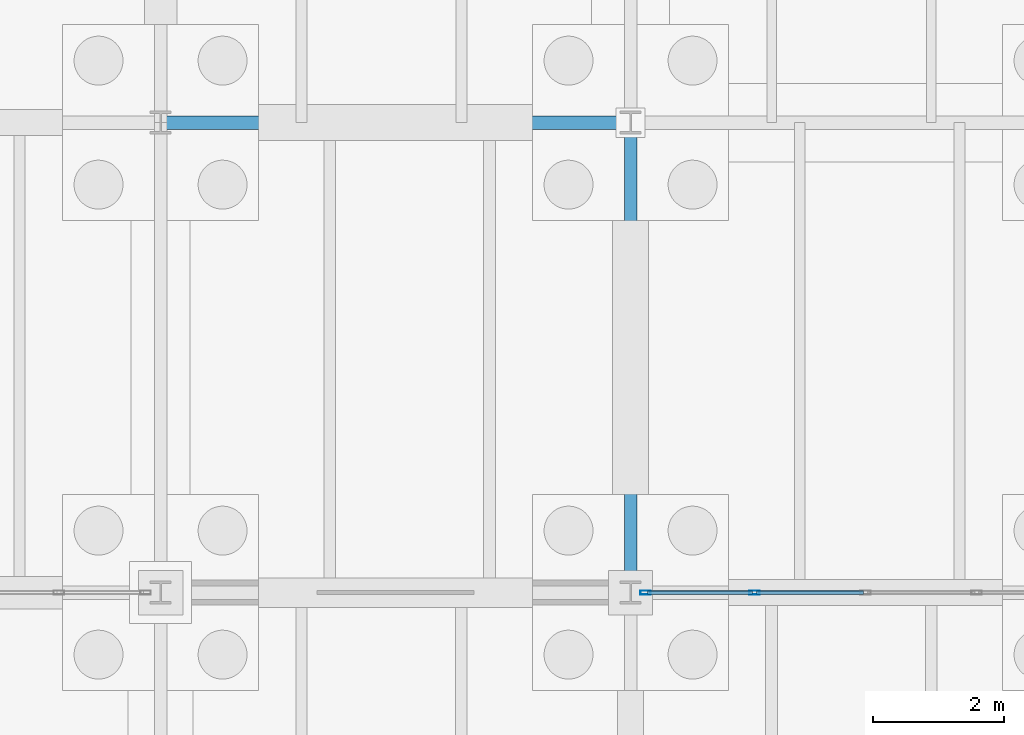
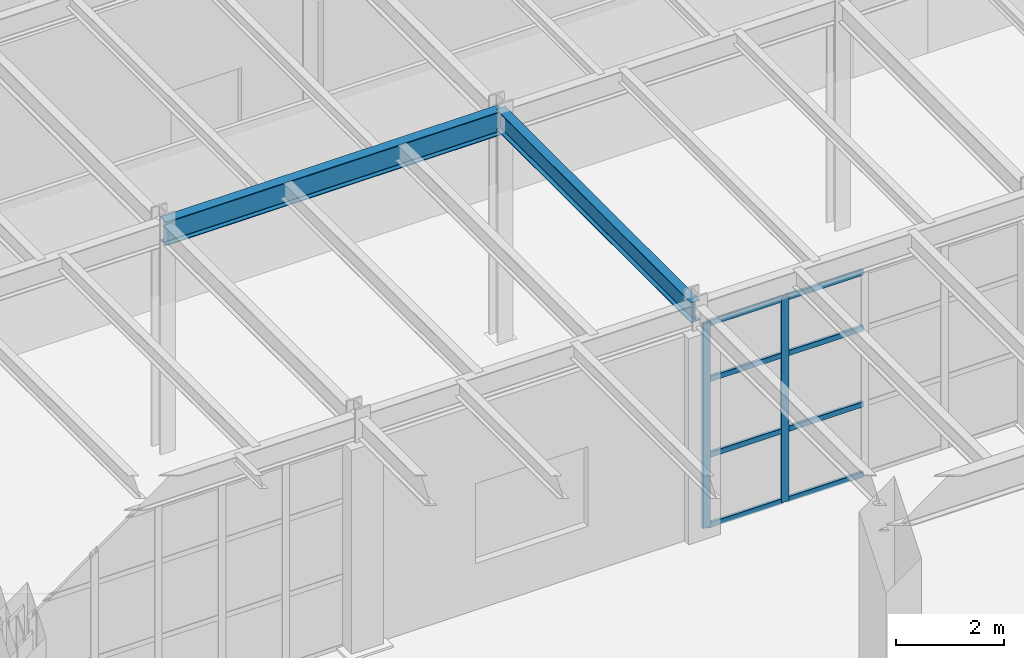
# One storey, part 82 of 293: 10 members, 2 beams, 1 element without a shape of its own.
"""IFC4 building model written with IfcOpenShell, lengths in metres."""

import ifcopenshell
import ifcopenshell.guid

model = None  # the IFC model being written
_history = None  # IfcOwnerHistory: only IFC2X3 demands one
_inside = {}  # id of a spatial element -> (the spatial element, [elements in it])
_under = {}  # id of a project, library or spatial element -> (it, [spatial elements below it])
_declared = {}  # id of a project -> (the project, [libraries it declares])
_typed = {}  # id of a type object -> (the type object, [elements of that type])
_made_of = {}  # id of a material, layer set ... -> (it, [elements and type objects made of it])


def new_model(schema):
    """Start an empty IFC model of exactly this schema.

    Asked for "IFC4X3", IfcOpenShell would pick the latest addendum, in which some entities
    have other attributes; the version numbers below select the first issue.
    IFC2X3 requires an IfcOwnerHistory on every rooted entity: one is made here for all.
    """
    global model, _history
    if schema == "IFC4X3":
        model = ifcopenshell.file(schema_version=(4, 3, 0, 0))
    else:
        model = ifcopenshell.file(schema=schema)
    _inside.clear()
    _under.clear()
    _declared.clear()
    _typed.clear()
    _made_of.clear()
    _history = None
    if model.schema == "IFC2X3":
        org = make("IfcOrganization", Name="unknown")
        user = make(
            "IfcPersonAndOrganization",
            ThePerson=make("IfcPerson", FamilyName="unknown"),
            TheOrganization=org,
        )
        app = make(
            "IfcApplication",
            ApplicationDeveloper=org,
            Version="unknown",
            ApplicationFullName="unknown",
            ApplicationIdentifier="unknown",
        )
        _history = make(
            "IfcOwnerHistory",
            OwningUser=user,
            OwningApplication=app,
            ChangeAction="ADDED",
            CreationDate=0,
        )
    return model


def make(cls, **values):
    """One entity of the class cls with the attributes given. An attribute that is None is left unset."""
    return model.create_entity(
        cls, **{name: value for name, value in values.items() if value is not None}
    )


def rooted(cls, **values):
    """An entity with a GlobalId (a new one), such as an element, a storey or a relation."""
    return make(cls, GlobalId=ifcopenshell.guid.new(), OwnerHistory=_history, **values)


def si_unit(unit_type, name, prefix=None):
    """IfcSIUnit, for example si_unit("LENGTHUNIT", "METRE", prefix="MILLI")."""
    return make("IfcSIUnit", UnitType=unit_type, Prefix=prefix, Name=name)


def assignment(units):
    """IfcUnitAssignment: the units of a project."""
    return None if units is None else make("IfcUnitAssignment", Units=units)


def point(xyz):
    """IfcCartesianPoint."""
    return None if xyz is None else make("IfcCartesianPoint", Coordinates=xyz)


def direction(xyz):
    """IfcDirection."""
    return None if xyz is None else make("IfcDirection", DirectionRatios=xyz)


def frame(location, z_axis=None, x_axis=None):
    """IfcAxis2Placement3D, a coordinate frame: its origin and axes. An axis left out is left unset."""
    return make(
        "IfcAxis2Placement3D",
        Location=point(location),
        Axis=direction(z_axis),
        RefDirection=direction(x_axis),
    )


def frame_2d(location, x_axis=None):
    """IfcAxis2Placement2D, a coordinate frame in the plane: its origin and x axis."""
    return make(
        "IfcAxis2Placement2D", Location=point(location), RefDirection=direction(x_axis)
    )


def origin():
    """The frame at (0, 0, 0) with its axes left unset."""
    return frame((0.0, 0.0, 0.0))


def origin_2d():
    """The frame at (0, 0) in the plane with its x axis left unset."""
    return frame_2d((0.0, 0.0))


def place(relative_to, where):
    """IfcLocalPlacement: puts the frame where relative to a parent placement (None: the world)."""
    return make(
        "IfcLocalPlacement", PlacementRelTo=relative_to, RelativePlacement=where
    )


def context(
    kind, dimensions, precision=None, world=None, true_north=None, identifier=None
):
    """IfcGeometricRepresentationContext, for example the 3D "Model" context."""
    return make(
        "IfcGeometricRepresentationContext",
        ContextIdentifier=identifier,
        ContextType=kind,
        CoordinateSpaceDimension=dimensions,
        Precision=precision,
        WorldCoordinateSystem=world,
        TrueNorth=true_north,
    )


def subcontext(parent, identifier, kind, view, scale=None):
    """IfcGeometricRepresentationSubContext, for example "Body" below "Model"."""
    return make(
        "IfcGeometricRepresentationSubContext",
        ContextIdentifier=identifier,
        ContextType=kind,
        ParentContext=parent,
        TargetScale=scale,
        TargetView=view,
    )


def project(units=None, contexts=None):
    """IfcProject with its units and contexts."""
    return rooted(
        "IfcProject",
        Name="project",
        RepresentationContexts=contexts,
        UnitsInContext=assignment(units),
    )


def spatial(cls, under=None, at=None, **own):
    """A site, building, storey or space (cls), placed at a placement, below another one or the project."""
    s = rooted(cls, ObjectPlacement=at, **own)
    if under is not None:
        _under.setdefault(under.id(), (under, []))[1].append(s)
    return s


def profile(cls, at=None, kind="AREA", **sizes):
    """A parametric profile (cls). Its sizes go by their IFC names, for example OverallWidth=200.0."""
    return make(cls, ProfileType=kind, Position=at, **sizes)


def hollow_rectangle(**sizes):
    """IfcRectangleHollowProfileDef."""
    return profile("IfcRectangleHollowProfileDef", **sizes)


def i_section(**sizes):
    """IfcIShapeProfileDef."""
    return profile("IfcIShapeProfileDef", **sizes)


def extrude(swept, where, along, depth):
    """IfcExtrudedAreaSolid: the profile swept, set in the frame where, extruded along a direction by depth."""
    return make(
        "IfcExtrudedAreaSolid",
        SweptArea=swept,
        Position=where,
        ExtrudedDirection=direction(along),
        Depth=depth,
    )


def shape(context_of_items, identifier, shape_type, items):
    """IfcShapeRepresentation: the items that make up one representation, for example the "Body"."""
    return make(
        "IfcShapeRepresentation",
        ContextOfItems=context_of_items,
        RepresentationIdentifier=identifier,
        RepresentationType=shape_type,
        Items=items,
    )


def material(Name=None, Category=None):
    """IfcMaterial."""
    return make("IfcMaterial", Name=Name, Category=Category)


def layer(
    of_material, thickness, ventilated=None, Name=None, Category=None, Priority=None
):
    """IfcMaterialLayer: one layer of a wall or slab, of a material (None: an air gap)."""
    return make(
        "IfcMaterialLayer",
        Material=of_material,
        LayerThickness=thickness,
        IsVentilated=ventilated,
        Name=Name,
        Category=Category,
        Priority=Priority,
    )


def layer_set(layers, Name=None):
    """IfcMaterialLayerSet."""
    return make("IfcMaterialLayerSet", MaterialLayers=layers, LayerSetName=Name)


def material_profile(
    of_material, cross_section, Name=None, Category=None, Priority=None
):
    """IfcMaterialProfile: a cross section and its material."""
    return make(
        "IfcMaterialProfile",
        Name=Name,
        Material=of_material,
        Profile=cross_section,
        Priority=Priority,
        Category=Category,
    )


def profile_set(profiles, Name=None, composite=None):
    """IfcMaterialProfileSet."""
    return make(
        "IfcMaterialProfileSet",
        Name=Name,
        MaterialProfiles=profiles,
        CompositeProfile=composite,
    )


def made_of(thing, what):
    """Note that an element or type object is made of a material, layer set ...; save() writes the relation."""
    if what is not None:
        _made_of.setdefault(what.id(), (what, []))[1].append(thing)
    return thing


def type_object(cls, material=None, **own):
    """A type object (cls), such as IfcWallType, which elements share."""
    return made_of(rooted(cls, **own), material)


def element(
    cls,
    number,
    at=None,
    inside=None,
    cuts=None,
    type_object=None,
    material=None,
    context=None,
    identifier="Body",
    shape_type=None,
    held_by="IfcProductDefinitionShape",
    body=None,
    shapes=None,
    **own,
):
    """One element of the class cls, such as IfcWall. Its Tag is "e" and its number.

    at: its placement. inside: the storey or other place that contains it. cuts: it is an
    opening in that element (IfcRelVoidsElement). A single representation is given by context,
    identifier, shape_type and body (its items); several are given by shapes. held_by: the class
    of the entity that holds the representations. save() writes the other relations.
    """
    e = rooted(cls, Tag="e%d" % number, ObjectPlacement=at, **own)
    if body is not None:
        shapes = [shape(context, identifier, shape_type, body)]
    if shapes is not None:
        e.Representation = make(held_by, Representations=shapes)
    if inside is not None:
        _inside.setdefault(inside.id(), (inside, []))[1].append(e)
    if cuts is not None:
        rooted(
            "IfcRelVoidsElement", RelatingBuildingElement=cuts, RelatedOpeningElement=e
        )
    if type_object is not None:
        _typed.setdefault(type_object.id(), (type_object, []))[1].append(e)
    return made_of(e, material)


def aggregate(whole, parts):
    """IfcRelAggregates: a whole, such as a stair, and the parts it consists of."""
    return rooted("IfcRelAggregates", RelatingObject=whole, RelatedObjects=parts)


def save(model, path):
    """Write the relations noted so far, then the file.

    IfcRelAggregates (storeys below a building ...), IfcRelContainedInSpatialStructure (elements
    in a storey), IfcRelDefinesByType, IfcRelAssociatesMaterial and IfcRelDeclares: one each for
    every whole, place, type object, material and project.
    """
    for whole, parts in _under.values():
        aggregate(whole, parts)
    for where, things in _inside.values():
        rooted(
            "IfcRelContainedInSpatialStructure",
            RelatedElements=things,
            RelatingStructure=where,
        )
    for kind, things in _typed.values():
        rooted("IfcRelDefinesByType", RelatedObjects=things, RelatingType=kind)
    for what, things in _made_of.values():
        rooted("IfcRelAssociatesMaterial", RelatedObjects=things, RelatingMaterial=what)
    for by, libraries in _declared.values():
        rooted("IfcRelDeclares", RelatingContext=by, RelatedDefinitions=libraries)
    model.write(path)


model = new_model("IFC4")

# Units and contexts
model_context = context("Model", 3, precision=1e-05, world=origin(), true_north=direction((0.0, 1.0)))
body_context = subcontext(model_context, "Body", "Model", "MODEL_VIEW")
ifc_project = project(units=[si_unit("LENGTHUNIT", "METRE"), si_unit("AREAUNIT", "SQUARE_METRE"), si_unit("VOLUMEUNIT", "CUBIC_METRE"), si_unit("PLANEANGLEUNIT", "RADIAN"), si_unit("MASSUNIT", "GRAM", prefix="KILO")], contexts=[model_context])

# Site, building, storey
site_placement = place(None, origin())
site = spatial("IfcSite", under=ifc_project, at=site_placement, CompositionType="ELEMENT")
building_placement = place(site_placement, origin())
building = spatial("IfcBuilding", under=site, at=building_placement, Name="Kemerveld Promenade Tramway Depot", CompositionType="ELEMENT")
storey_placement = place(building_placement, origin())
storey = spatial("IfcBuildingStorey", under=building, at=storey_placement, Name="L00", CompositionType="ELEMENT", Elevation=0.0)

# Beams
ifc_material_1 = material(Name="Steel S355", Category="steel")
ifc_material_profile_1 = material_profile(ifc_material_1, i_section(OverallWidth=0.2099609375, OverallDepth=0.53662109375, WebThickness=0.0107421875, FlangeThickness=0.017333984375, FilletRadius=0.0126953125, at=origin_2d()), Name="533x210x101 UB")
ifc_profile_set_1 = profile_set([ifc_material_profile_1], Name="Steel S355")
beam_type_1 = type_object("IfcBeamType", Name="BM-G05", PredefinedType="BEAM", material=ifc_profile_set_1)
beam_1_placement = place(storey_placement, frame((93.60009765625, 14.39990234375, 4.906494140625), z_axis=(1.0, 0.0, 0.0), x_axis=(0.0, 1.0, 0.0)))
element("IfcBeam", 1, at=beam_1_placement, inside=storey, type_object=beam_type_1, Name="BMX-L00-14-15-C", PredefinedType="BEAM", context=body_context, shape_type="SweptSolid", body=[
    extrude(i_section(OverallWidth=0.2099609375, OverallDepth=0.53662109375, WebThickness=0.0107421875, FlangeThickness=0.017333984375, FilletRadius=0.0126953125, at=origin_2d()), origin(), (0.0, 0.0, 1.0), 7.199951171875),
])
ifc_material_profile_2 = material_profile(ifc_material_1, i_section(OverallWidth=0.19140625, OverallDepth=0.4599609375, WebThickness=0.010009765625, FlangeThickness=0.01611328125, FilletRadius=0.01025390625, at=origin_2d()), Name="457x191x82 UB")
ifc_profile_set_2 = profile_set([ifc_material_profile_2], Name="Steel S355")
beam_type_2 = type_object("IfcBeamType", Name="BM-G06", PredefinedType="BEAM", material=ifc_profile_set_2)
beam_2_placement = place(storey_placement, frame((100.800048828125, 7.199951171875, 4.945068359375), z_axis=(0.0, 1.0, 0.0), x_axis=(-1.0, 0.0, 0.0)))
element("IfcBeam", 2, at=beam_2_placement, inside=storey, type_object=beam_type_2, Name="BMY-L00-15-B-C", PredefinedType="BEAM", context=body_context, shape_type="SweptSolid", body=[
    extrude(i_section(OverallWidth=0.19140625, OverallDepth=0.4599609375, WebThickness=0.010009765625, FlangeThickness=0.01611328125, FilletRadius=0.01025390625, at=origin_2d()), origin(), (0.0, 0.0, 1.0), 7.199951171875),
])

# Curtain wall, members
ifc_material_2 = material(Name="Bronze anodised aluminium and solar glass", Category="aluminium")
ifc_layer = layer(ifc_material_2, 0.159912109375)
ifc_layer_set = layer_set([ifc_layer], Name="CW-SYS-11")
curtain_wall_type = type_object("IfcCurtainWallType", Name="CW-SYS-11", PredefinedType="USERDEFINED", material=ifc_layer_set)
curtain_wall_placement = place(storey_placement, origin())
curtain_wall = element("IfcCurtainWall", 3, at=curtain_wall_placement, inside=storey, type_object=curtain_wall_type, Name="CW-L00-V4S-08", ObjectType="GLAZED_CURTAIN_WALL", PredefinedType="USERDEFINED")
ifc_material_3 = material(Name="Bronze anodised aluminium", Category="aluminium")
ifc_material_profile_3 = material_profile(ifc_material_3, hollow_rectangle(XDim=0.06494140625, YDim=0.159912109375, WallThickness=0.00390625, InnerFilletRadius=0.001953125, OuterFilletRadius=0.00390625, at=origin_2d()), Name="CW-MUL-160x65")
ifc_profile_set_3 = profile_set([ifc_material_profile_3], Name="Bronze anodised aluminium")
member_type_1 = type_object("IfcMemberType", Name="CW-MUL-A", PredefinedType="MULLION", material=ifc_profile_set_3)
member_1_placement = place(storey_placement, frame((102.6982421875, 7.199951171875, 0.0), z_axis=(0.0, 0.0, 1.0), x_axis=(0.0, -1.0, 0.0)))
member_1 = element("IfcMember", 4, at=member_1_placement, type_object=member_type_1, Name="CW11 mullion 4", PredefinedType="MULLION", context=body_context, shape_type="SweptSolid", body=[
    extrude(hollow_rectangle(XDim=0.06494140625, YDim=0.159912109375, WallThickness=0.00390625, InnerFilletRadius=0.001953125, OuterFilletRadius=0.00390625, at=origin_2d()), origin(), (0.0, 0.0, 1.0), 4.618408203125),
])
member_2_placement = place(storey_placement, frame((101.02880859375, 7.199951171875, 0.0), z_axis=(0.0, 0.0, 1.0), x_axis=(0.0, -1.0, 0.0)))
member_2 = element("IfcMember", 5, at=member_2_placement, type_object=member_type_1, Name="CW11 mullion 5", PredefinedType="MULLION", context=body_context, shape_type="SweptSolid", body=[
    extrude(hollow_rectangle(XDim=0.06494140625, YDim=0.159912109375, WallThickness=0.00390625, InnerFilletRadius=0.001953125, OuterFilletRadius=0.00390625, at=origin_2d()), origin(), (0.0, 0.0, 1.0), 4.618408203125),
])
ifc_material_profile_4 = material_profile(ifc_material_3, hollow_rectangle(XDim=0.06005859375, YDim=0.1201171875, WallThickness=0.00390625, InnerFilletRadius=0.001953125, OuterFilletRadius=0.00390625, at=origin_2d()), Name="CW-TRN-120x60")
ifc_profile_set_4 = profile_set([ifc_material_profile_4], Name="Bronze anodised aluminium")
member_type_2 = type_object("IfcMemberType", Name="CW-TRN-A", PredefinedType="USERDEFINED", material=ifc_profile_set_4)
member_3_placement = place(storey_placement, frame((104.367431640625, 7.199951171875, 0.030029296875), z_axis=(-1.0, 0.0, 0.0), x_axis=(0.0, -1.0, 0.0)))
member_3 = element("IfcMember", 6, at=member_3_placement, type_object=member_type_2, Name="CW11 transom 3.1", ObjectType="TRANSOM", PredefinedType="USERDEFINED", context=body_context, shape_type="SweptSolid", body=[
    extrude(hollow_rectangle(XDim=0.06005859375, YDim=0.1201171875, WallThickness=0.00390625, InnerFilletRadius=0.001953125, OuterFilletRadius=0.00390625, at=origin_2d()), origin(), (0.0, 0.0, 1.0), 1.63671875),
])
member_4_placement = place(storey_placement, frame((104.367431640625, 7.199951171875, 1.615966796875), z_axis=(-1.0, 0.0, 0.0), x_axis=(0.0, -1.0, 0.0)))
member_4 = element("IfcMember", 7, at=member_4_placement, type_object=member_type_2, Name="CW11 transom 3.2", ObjectType="TRANSOM", PredefinedType="USERDEFINED", context=body_context, shape_type="SweptSolid", body=[
    extrude(hollow_rectangle(XDim=0.06005859375, YDim=0.1201171875, WallThickness=0.00390625, InnerFilletRadius=0.001953125, OuterFilletRadius=0.00390625, at=origin_2d()), origin(), (0.0, 0.0, 1.0), 1.63671875),
])
member_5_placement = place(storey_placement, frame((104.367431640625, 7.199951171875, 3.324951171875), z_axis=(-1.0, 0.0, 0.0), x_axis=(0.0, -1.0, 0.0)))
member_5 = element("IfcMember", 8, at=member_5_placement, type_object=member_type_2, Name="CW11 transom 3.3", ObjectType="TRANSOM", PredefinedType="USERDEFINED", context=body_context, shape_type="SweptSolid", body=[
    extrude(hollow_rectangle(XDim=0.06005859375, YDim=0.1201171875, WallThickness=0.00390625, InnerFilletRadius=0.001953125, OuterFilletRadius=0.00390625, at=origin_2d()), origin(), (0.0, 0.0, 1.0), 1.63671875),
])
member_6_placement = place(storey_placement, frame((104.367431640625, 7.199951171875, 4.58837890625), z_axis=(-1.0, 0.0, 0.0), x_axis=(0.0, -1.0, 0.0)))
member_6 = element("IfcMember", 9, at=member_6_placement, type_object=member_type_2, Name="CW11 transom 3.4", ObjectType="TRANSOM", PredefinedType="USERDEFINED", context=body_context, shape_type="SweptSolid", body=[
    extrude(hollow_rectangle(XDim=0.06005859375, YDim=0.1201171875, WallThickness=0.00390625, InnerFilletRadius=0.001953125, OuterFilletRadius=0.00390625, at=origin_2d()), origin(), (0.0, 0.0, 1.0), 1.63671875),
])
member_7_placement = place(storey_placement, frame((102.665771484375, 7.199951171875, 0.030029296875), z_axis=(-1.0, 0.0, 0.0), x_axis=(0.0, -1.0, 0.0)))
member_7 = element("IfcMember", 10, at=member_7_placement, type_object=member_type_2, Name="CW11 transom 4.1", ObjectType="TRANSOM", PredefinedType="USERDEFINED", context=body_context, shape_type="SweptSolid", body=[
    extrude(hollow_rectangle(XDim=0.06005859375, YDim=0.1201171875, WallThickness=0.00390625, InnerFilletRadius=0.001953125, OuterFilletRadius=0.00390625, at=origin_2d()), origin(), (0.0, 0.0, 1.0), 1.6044921875),
])
member_8_placement = place(storey_placement, frame((102.665771484375, 7.199951171875, 1.615966796875), z_axis=(-1.0, 0.0, 0.0), x_axis=(0.0, -1.0, 0.0)))
member_8 = element("IfcMember", 11, at=member_8_placement, type_object=member_type_2, Name="CW11 transom 4.2", ObjectType="TRANSOM", PredefinedType="USERDEFINED", context=body_context, shape_type="SweptSolid", body=[
    extrude(hollow_rectangle(XDim=0.06005859375, YDim=0.1201171875, WallThickness=0.00390625, InnerFilletRadius=0.001953125, OuterFilletRadius=0.00390625, at=origin_2d()), origin(), (0.0, 0.0, 1.0), 1.6044921875),
])
member_9_placement = place(storey_placement, frame((102.665771484375, 7.199951171875, 3.324951171875), z_axis=(-1.0, 0.0, 0.0), x_axis=(0.0, -1.0, 0.0)))
member_9 = element("IfcMember", 12, at=member_9_placement, type_object=member_type_2, Name="CW11 transom 4.3", ObjectType="TRANSOM", PredefinedType="USERDEFINED", context=body_context, shape_type="SweptSolid", body=[
    extrude(hollow_rectangle(XDim=0.06005859375, YDim=0.1201171875, WallThickness=0.00390625, InnerFilletRadius=0.001953125, OuterFilletRadius=0.00390625, at=origin_2d()), origin(), (0.0, 0.0, 1.0), 1.6044921875),
])
member_10_placement = place(storey_placement, frame((102.665771484375, 7.199951171875, 4.58837890625), z_axis=(-1.0, 0.0, 0.0), x_axis=(0.0, -1.0, 0.0)))
member_10 = element("IfcMember", 13, at=member_10_placement, type_object=member_type_2, Name="CW11 transom 4.4", ObjectType="TRANSOM", PredefinedType="USERDEFINED", context=body_context, shape_type="SweptSolid", body=[
    extrude(hollow_rectangle(XDim=0.06005859375, YDim=0.1201171875, WallThickness=0.00390625, InnerFilletRadius=0.001953125, OuterFilletRadius=0.00390625, at=origin_2d()), origin(), (0.0, 0.0, 1.0), 1.6044921875),
])
aggregate(curtain_wall, [member_1, member_2, member_3, member_4, member_5, member_6, member_7, member_8, member_9, member_10])

save(model, "model.ifc")
